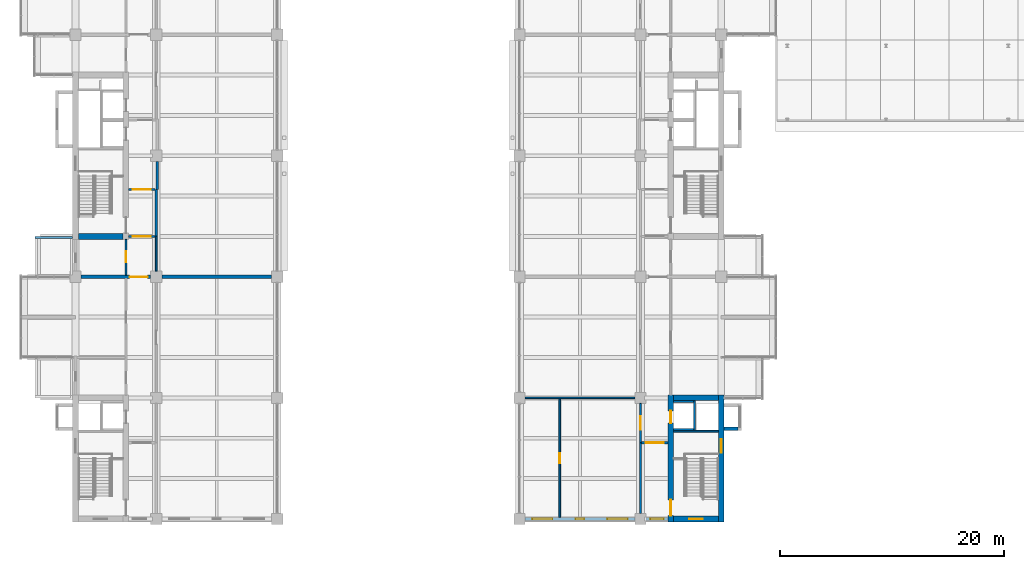
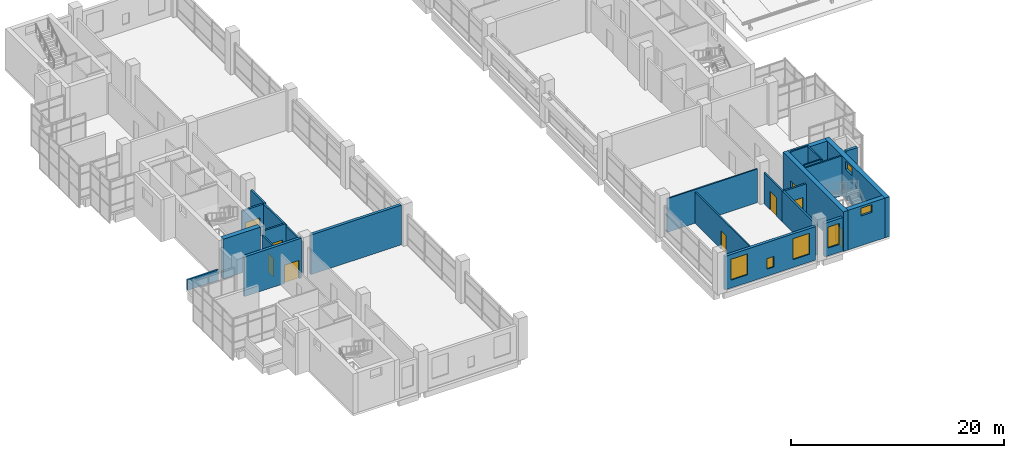
# One storey, part 36 of 44: 26 walls, 9 doors, 6 windows, 15 openings.
"""IFC4 building model written with IfcOpenShell, lengths in metres."""

from ifc_helpers import new_model, si_unit, direction, frame, frame_2d, origin, place, context, subcontext, project, spatial, rectangle, extrude, material, layer, layer_set, type_object, element, fill, save


model = new_model("IFC4")

# Units and contexts
model_context = context("Model", 3, precision=1e-05, world=origin(), true_north=direction((0.0, 1.0)))
body_context = subcontext(model_context, "Body", "Model", "MODEL_VIEW")
ifc_project = project(units=[si_unit("LENGTHUNIT", "METRE"), si_unit("AREAUNIT", "SQUARE_METRE"), si_unit("VOLUMEUNIT", "CUBIC_METRE"), si_unit("PLANEANGLEUNIT", "RADIAN"), si_unit("MASSUNIT", "GRAM", prefix="KILO")], contexts=[model_context])

# Site, building, storey
site_placement = place(None, origin())
site = spatial("IfcSite", under=ifc_project, at=site_placement, CompositionType="ELEMENT")
building_placement = place(site_placement, origin())
building = spatial("IfcBuilding", under=site, at=building_placement, Name="Basin Gate Institute", CompositionType="ELEMENT")
storey_placement = place(building_placement, frame((0.0, 0.0, 27.0)))
storey = spatial("IfcBuildingStorey", under=building, at=storey_placement, Name="L05", CompositionType="ELEMENT", Elevation=27.0)

# Wall, opening, door
ifc_material_1 = material(Name="Fire-rated masonry", Category="masonry")
ifc_layer_1 = layer(ifc_material_1, 0.199951171875)
ifc_layer_set_1 = layer_set([ifc_layer_1], Name="Enclosure wall PW2 200 EI 60")
wall_type_1 = type_object("IfcWallType", Name="Enclosure wall PW2 200 EI 60", PredefinedType="PARTITIONING", material=ifc_layer_set_1)
wall_1_placement = place(storey_placement, frame((65.949951171875, 60.300048828125, 0.0), z_axis=(0.0, 0.0, 1.0), x_axis=(1.0, 0.0, 0.0)))
wall_1 = element("IfcWall", 1, at=wall_1_placement, inside=storey, type_object=wall_type_1, material=ifc_layer_set_1, Name="Smoke lobby enclosure wall PW2 L05", PredefinedType="PARTITIONING", context=body_context, shape_type="SweptSolid", body=[
    extrude(rectangle(XDim=2.35009765625, YDim=0.199951171875, at=frame_2d((1.175048828125, 0.0))), origin(), (0.0, 0.0, 1.0), 3.85009765625),
])
opening_1_placement = place(wall_1_placement, frame((0.375, 0.0, 0.0)))
opening_1 = element("IfcOpeningElement", 2, at=opening_1_placement, cuts=wall_1, Name="Opening DR277", PredefinedType="OPENING", context=body_context, shape_type="SweptSolid", body=[
    extrude(rectangle(XDim=1.60009765625, YDim=2.10009765625, at=frame_2d((0.800048828125, 1.050048828125))), frame((0.0, 0.10986328125, 0.0), z_axis=(0.0, -1.0, 0.0), x_axis=(1.0, 0.0, 0.0)), (0.0, 0.0, 1.0), 0.219970703125),
])
ifc_material_2 = material(Name="Steel fire door", Category="steel")
door_type_1 = type_object("IfcDoorType", Name="FD60 Smoke lobby door pair D8", OperationType="DOUBLE_DOOR_SINGLE_SWING", PredefinedType="DOOR", material=ifc_material_2)
door_1_placement = place(opening_1_placement, origin())
door_1 = element("IfcDoor", 3, at=door_1_placement, inside=storey, type_object=door_type_1, material=ifc_material_2, Name="Smoke lobby door SS2 L05", OperationType="DOUBLE_DOOR_SINGLE_SWING", OverallHeight=2.10009765625, OverallWidth=1.60009765625, PredefinedType="DOOR", context=body_context, shape_type="SweptSolid", body=[
    extrude(rectangle(XDim=1.60009765625, YDim=2.10009765625, at=frame_2d((0.800048828125, 1.050048828125))), frame((0.0, 0.02490234375, 0.0), z_axis=(0.0, -1.0, 0.0), x_axis=(1.0, 0.0, 0.0)), (0.0, 0.0, 1.0), 0.050048828125),
])
fill(opening_1, door_1)

wall_2_placement = place(storey_placement, frame((65.949951171875, 64.5, 0.0), z_axis=(0.0, 0.0, 1.0), x_axis=(1.0, 0.0, 0.0)))
wall_2 = element("IfcWall", 4, at=wall_2_placement, inside=storey, type_object=wall_type_1, material=ifc_layer_set_1, Name="Smoke lobby enclosure wall PW2 L05", PredefinedType="PARTITIONING", context=body_context, shape_type="SweptSolid", body=[
    extrude(rectangle(XDim=2.35009765625, YDim=0.199951171875, at=frame_2d((1.175048828125, 0.0))), origin(), (0.0, 0.0, 1.0), 3.550048828125),
])
opening_2_placement = place(wall_2_placement, frame((0.375, 0.0, 0.0)))
opening_2 = element("IfcOpeningElement", 5, at=opening_2_placement, cuts=wall_2, Name="Opening DR278", PredefinedType="OPENING", context=body_context, shape_type="SweptSolid", body=[
    extrude(rectangle(XDim=1.60009765625, YDim=2.10009765625, at=frame_2d((0.800048828125, 1.050048828125))), frame((0.0, 0.10986328125, 0.0), z_axis=(0.0, -1.0, 0.0), x_axis=(1.0, 0.0, 0.0)), (0.0, 0.0, 1.0), 0.219970703125),
])
door_2_placement = place(opening_2_placement, frame((1.60009765625, 0.0, 0.0), z_axis=(0.0, 0.0, 1.0), x_axis=(-1.0, 0.0, 0.0)))
door_2 = element("IfcDoor", 6, at=door_2_placement, inside=storey, type_object=door_type_1, material=ifc_material_2, Name="Smoke lobby door SS2 L05", OperationType="DOUBLE_DOOR_SINGLE_SWING", OverallHeight=2.10009765625, OverallWidth=1.60009765625, PredefinedType="DOOR", context=body_context, shape_type="SweptSolid", body=[
    extrude(rectangle(XDim=1.60009765625, YDim=2.10009765625, at=frame_2d((0.800048828125, 1.050048828125))), frame((0.0, 0.02490234375, 0.0), z_axis=(0.0, -1.0, 0.0), x_axis=(1.0, 0.0, 0.0)), (0.0, 0.0, 1.0), 0.050048828125),
])
fill(opening_2, door_2)

# Walls
wall_3_placement = place(storey_placement, frame((68.39990234375, 60.300048828125, 0.0), z_axis=(0.0, 0.0, 1.0), x_axis=(0.0, 1.0, 0.0)))
element("IfcWall", 7, at=wall_3_placement, inside=storey, type_object=wall_type_1, material=ifc_layer_set_1, Name="Smoke lobby enclosure wall PW2 L05", PredefinedType="PARTITIONING", context=body_context, shape_type="SweptSolid", body=[
    extrude(rectangle(XDim=4.199951171875, YDim=0.199951171875, at=frame_2d((2.10009765625, 0.0))), origin(), (0.0, 0.0, 1.0), 3.550048828125),
])
wall_4_placement = place(storey_placement, frame((68.5, 64.5, 0.0), z_axis=(0.0, 0.0, 1.0), x_axis=(0.0, 1.0, 0.0)))
element("IfcWall", 8, at=wall_4_placement, inside=storey, type_object=wall_type_1, material=ifc_layer_set_1, Name="Emergency lift lobby wall PW2 L05", PredefinedType="PARTITIONING", context=body_context, shape_type="SweptSolid", body=[
    extrude(rectangle(XDim=2.5, YDim=0.199951171875, at=frame_2d((1.25, 0.0))), origin(), (0.0, 0.0, 1.0), 3.550048828125),
])

# Wall, opening, door
wall_5_placement = place(storey_placement, frame((114.050048828125, 41.89990234375, 0.0), z_axis=(0.0, 0.0, 1.0), x_axis=(-1.0, 0.0, 0.0)))
wall_5 = element("IfcWall", 9, at=wall_5_placement, inside=storey, type_object=wall_type_1, material=ifc_layer_set_1, Name="Smoke lobby enclosure wall PW2 L05", PredefinedType="PARTITIONING", context=body_context, shape_type="SweptSolid", body=[
    extrude(rectangle(XDim=2.35009765625, YDim=0.199951171875, at=frame_2d((1.175048828125, 0.0))), origin(), (0.0, 0.0, 1.0), 3.550048828125),
])
opening_3_placement = place(wall_5_placement, frame((0.375, 0.0, 0.0)))
opening_3 = element("IfcOpeningElement", 10, at=opening_3_placement, cuts=wall_5, Name="Opening DR261", PredefinedType="OPENING", context=body_context, shape_type="SweptSolid", body=[
    extrude(rectangle(XDim=1.60009765625, YDim=2.10009765625, at=frame_2d((0.800048828125, 1.050048828125))), frame((0.0, 0.10986328125, 0.0), z_axis=(0.0, -1.0, 0.0), x_axis=(1.0, 0.0, 0.0)), (0.0, 0.0, 1.0), 0.219970703125),
])
door_3_placement = place(opening_3_placement, origin())
door_3 = element("IfcDoor", 11, at=door_3_placement, inside=storey, type_object=door_type_1, material=ifc_material_2, Name="Smoke lobby door SS4 L05", OperationType="DOUBLE_DOOR_SINGLE_SWING", OverallHeight=2.10009765625, OverallWidth=1.60009765625, PredefinedType="DOOR", context=body_context, shape_type="SweptSolid", body=[
    extrude(rectangle(XDim=1.60009765625, YDim=2.10009765625, at=frame_2d((0.800048828125, 1.050048828125))), frame((0.0, 0.02490234375, 0.0), z_axis=(0.0, -1.0, 0.0), x_axis=(1.0, 0.0, 0.0)), (0.0, 0.0, 1.0), 0.050048828125),
])
fill(opening_3, door_3)

# Wall
wall_6_placement = place(storey_placement, frame((111.60009765625, 35.60009765625, 0.0), z_axis=(0.0, 0.0, 1.0), x_axis=(0.0, 1.0, 0.0)))
element("IfcWall", 12, at=wall_6_placement, inside=storey, type_object=wall_type_1, material=ifc_layer_set_1, Name="Smoke lobby enclosure wall PW2 L05", PredefinedType="PARTITIONING", context=body_context, shape_type="SweptSolid", body=[
    extrude(rectangle(XDim=6.2998046875, YDim=0.199951171875, at=frame_2d((3.14990234375, 0.0))), origin(), (0.0, 0.0, 1.0), 3.550048828125),
])

# Wall, opening, window
ifc_material_3 = material(Name="Aluminium-faced insulated panel wall", Category="aluminium")
ifc_layer_2 = layer(ifc_material_3, 0.300048828125)
ifc_layer_set_2 = layer_set([ifc_layer_2], Name="External wall EW1 EI 120")
wall_type_2 = type_object("IfcWallType", Name="External wall EW1 EI 120", PredefinedType="STANDARD", material=ifc_layer_set_2)
wall_7_placement = place(storey_placement, frame((114.050048828125, 35.10009765625, 0.0), z_axis=(0.0, 0.0, 1.0), x_axis=(-1.0, 0.0, 0.0)))
wall_7 = element("IfcWall", 13, at=wall_7_placement, inside=storey, type_object=wall_type_2, material=ifc_layer_set_2, Name="External end wall E wing south L05 1", PredefinedType="STANDARD", context=body_context, shape_type="SweptSolid", body=[
    extrude(rectangle(XDim=1.949951171875, YDim=0.300048828125, at=frame_2d((0.97509765625, 0.0))), origin(), (0.0, 0.0, 1.0), 3.85009765625),
])
opening_4_placement = place(wall_7_placement, frame((0.375, 0.0, 0.89990234375)))
opening_4 = element("IfcOpeningElement", 14, at=opening_4_placement, cuts=wall_7, Name="Opening WN4", PredefinedType="OPENING", context=body_context, shape_type="SweptSolid", body=[
    extrude(rectangle(XDim=1.199951171875, YDim=2.39990234375, at=frame_2d((0.60009765625, 1.199951171875))), frame((0.0, 0.16015625, 0.0), z_axis=(0.0, -1.0, 0.0), x_axis=(1.0, 0.0, 0.0)), (0.0, 0.0, 1.0), 0.320068359375),
])
ifc_material_4 = material(Name="Aluminium-framed double glazing", Category="aluminium")
window_type_1 = type_object("IfcWindowType", Name="Corridor end window WN4", PartitioningType="SINGLE_PANEL", PredefinedType="WINDOW", material=ifc_material_4)
window_1_placement = place(opening_4_placement, origin())
window_1 = element("IfcWindow", 15, at=window_1_placement, inside=storey, type_object=window_type_1, material=ifc_material_4, Name="Corridor end window E wing S L05", OverallHeight=2.39990234375, OverallWidth=1.199951171875, PartitioningType="SINGLE_PANEL", PredefinedType="WINDOW", context=body_context, shape_type="SweptSolid", body=[
    extrude(rectangle(XDim=1.199951171875, YDim=2.39990234375, at=frame_2d((0.60009765625, 1.199951171875))), frame((0.0, 0.030029296875, 0.0), z_axis=(0.0, -1.0, 0.0), x_axis=(1.0, 0.0, 0.0)), (0.0, 0.0, 1.0), 0.06005859375),
])
fill(opening_4, window_1)

# Wall, openings, windows
wall_8_placement = place(storey_placement, frame((111.10009765625, 35.10009765625, 0.0), z_axis=(0.0, 0.0, 1.0), x_axis=(-1.0, 0.0, 0.0)))
wall_8 = element("IfcWall", 16, at=wall_8_placement, inside=storey, type_object=wall_type_2, material=ifc_layer_set_2, Name="External end wall E wing south L05 2", PredefinedType="STANDARD", context=body_context, shape_type="SweptSolid", body=[
    extrude(rectangle(XDim=9.800048828125, YDim=0.300048828125, at=frame_2d((4.89990234375, 0.0))), origin(), (0.0, 0.0, 1.0), 3.85009765625),
])
opening_5_placement = place(wall_8_placement, frame((0.64990234375, 0.0, 0.89990234375)))
opening_5 = element("IfcOpeningElement", 17, at=opening_5_placement, cuts=wall_8, Name="Opening WN1", PredefinedType="OPENING", context=body_context, shape_type="SweptSolid", body=[
    extrude(rectangle(XDim=1.800048828125, YDim=2.39990234375, at=frame_2d((0.89990234375, 1.199951171875))), frame((0.0, 0.16015625, 0.0), z_axis=(0.0, -1.0, 0.0), x_axis=(1.0, 0.0, 0.0)), (0.0, 0.0, 1.0), 0.320068359375),
])
opening_6_placement = place(wall_8_placement, frame((4.52490234375, 0.0, 0.800048828125)))
opening_6 = element("IfcOpeningElement", 18, at=opening_6_placement, cuts=wall_8, Name="Opening WN3", PredefinedType="OPENING", context=body_context, shape_type="SweptSolid", body=[
    extrude(rectangle(XDim=0.75, YDim=1.199951171875, at=frame_2d((0.375, 0.60009765625))), frame((0.0, 0.16015625, 0.0), z_axis=(0.0, -1.0, 0.0), x_axis=(1.0, 0.0, 0.0)), (0.0, 0.0, 1.0), 0.320068359375),
])
opening_7_placement = place(wall_8_placement, frame((7.35009765625, 0.0, 0.89990234375)))
opening_7 = element("IfcOpeningElement", 19, at=opening_7_placement, cuts=wall_8, Name="Opening WN1", PredefinedType="OPENING", context=body_context, shape_type="SweptSolid", body=[
    extrude(rectangle(XDim=1.800048828125, YDim=2.39990234375, at=frame_2d((0.89990234375, 1.199951171875))), frame((0.0, 0.16015625, 0.0), z_axis=(0.0, -1.0, 0.0), x_axis=(1.0, 0.0, 0.0)), (0.0, 0.0, 1.0), 0.320068359375),
])
ifc_material_5 = material(Name="Aluminium-framed double glazing", Category="aluminium")
window_type_2 = type_object("IfcWindowType", Name="Emergency entry panel WN3", PartitioningType="SINGLE_PANEL", PredefinedType="WINDOW", material=ifc_material_5)
window_2_placement = place(opening_6_placement, origin())
window_2 = element("IfcWindow", 20, at=window_2_placement, inside=storey, type_object=window_type_2, material=ifc_material_5, Name="Emergency entry panel E wing end S L05 bay 2", OverallHeight=1.199951171875, OverallWidth=0.75, PartitioningType="SINGLE_PANEL", PredefinedType="WINDOW", context=body_context, shape_type="SweptSolid", body=[
    extrude(rectangle(XDim=0.75, YDim=1.199951171875, at=frame_2d((0.375, 0.60009765625))), frame((0.0, 0.030029296875, 0.0), z_axis=(0.0, -1.0, 0.0), x_axis=(1.0, 0.0, 0.0)), (0.0, 0.0, 1.0), 0.06005859375),
])
fill(opening_6, window_2)
ifc_material_6 = material(Name="Aluminium-framed double glazing", Category="aluminium")
window_type_3 = type_object("IfcWindowType", Name="Facade window WN1", PartitioningType="SINGLE_PANEL", PredefinedType="WINDOW", material=ifc_material_6)
window_3_placement = place(opening_5_placement, origin())
window_3 = element("IfcWindow", 21, at=window_3_placement, inside=storey, type_object=window_type_3, material=ifc_material_6, Name="Facade window E wing end S L05 bay 1", OverallHeight=2.39990234375, OverallWidth=1.800048828125, PartitioningType="SINGLE_PANEL", PredefinedType="WINDOW", context=body_context, shape_type="SweptSolid", body=[
    extrude(rectangle(XDim=1.800048828125, YDim=2.39990234375, at=frame_2d((0.89990234375, 1.199951171875))), frame((0.0, 0.030029296875, 0.0), z_axis=(0.0, -1.0, 0.0), x_axis=(1.0, 0.0, 0.0)), (0.0, 0.0, 1.0), 0.06005859375),
])
fill(opening_5, window_3)
window_4_placement = place(opening_7_placement, origin())
window_4 = element("IfcWindow", 22, at=window_4_placement, inside=storey, type_object=window_type_3, material=ifc_material_6, Name="Facade window E wing end S L05 bay 3", OverallHeight=2.39990234375, OverallWidth=1.800048828125, PartitioningType="SINGLE_PANEL", PredefinedType="WINDOW", context=body_context, shape_type="SweptSolid", body=[
    extrude(rectangle(XDim=1.800048828125, YDim=2.39990234375, at=frame_2d((0.89990234375, 1.199951171875))), frame((0.0, 0.030029296875, 0.0), z_axis=(0.0, -1.0, 0.0), x_axis=(1.0, 0.0, 0.0)), (0.0, 0.0, 1.0), 0.06005859375),
])
fill(opening_7, window_4)

# Wall
ifc_material_7 = material(Name="Concrete 40 MPa", Category="concrete")
ifc_layer_3 = layer(ifc_material_7, 0.199951171875)
ifc_layer_set_3 = layer_set([ifc_layer_3], Name="Concrete 40 MPa")
wall_type_3 = type_object("IfcWallType", Name="Parapet wall PA1", PredefinedType="PARAPET", material=ifc_layer_set_3)
wall_9_placement = place(storey_placement, frame((57.60009765625, 60.199951171875, 0.0), z_axis=(0.0, 0.0, 1.0), x_axis=(1.0, 0.0, 0.0)))
element("IfcWall", 23, at=wall_9_placement, inside=storey, type_object=wall_type_3, material=ifc_layer_set_3, Name="Parapet wall PA1 L05 W4", PredefinedType="PARAPET", context=body_context, shape_type="SweptSolid", body=[
    extrude(rectangle(XDim=3.349853515625, YDim=0.199951171875, at=frame_2d((1.6748046875, 0.0))), origin(), (0.0, 0.0, 1.0), 1.199951171875),
])

# Wall, opening, door
ifc_material_8 = material(Name="Gypsum board on steel stud", Category="steel")
ifc_layer_4 = layer(ifc_material_8, 0.14990234375)
ifc_layer_set_4 = layer_set([ifc_layer_4], Name="Gypsum board on steel stud")
wall_type_4 = type_object("IfcWallType", Name="Partition PW1 150 EI 60", PredefinedType="PARTITIONING", material=ifc_layer_set_4)
wall_10_placement = place(storey_placement, frame((65.699951171875, 56.85009765625, 0.0), z_axis=(0.0, 0.0, 1.0), x_axis=(0.0, 1.0, 0.0)))
wall_10 = element("IfcWall", 24, at=wall_10_placement, inside=storey, type_object=wall_type_4, material=ifc_layer_set_4, Name="Corridor wall PW1 L05", PredefinedType="PARTITIONING", context=body_context, shape_type="SweptSolid", body=[
    extrude(rectangle(XDim=3.199951171875, YDim=0.14990234375, at=frame_2d((1.60009765625, 0.0))), origin(), (0.0, 0.0, 1.0), 3.550048828125),
])
opening_8_placement = place(wall_10_placement, frame((1.14990234375, 0.0, 0.0)))
opening_8 = element("IfcOpeningElement", 25, at=opening_8_placement, cuts=wall_10, Name="Opening DR268", PredefinedType="OPENING", context=body_context, shape_type="SweptSolid", body=[
    extrude(rectangle(XDim=1.0, YDim=2.10009765625, at=frame_2d((0.5, 1.050048828125))), frame((0.0, 0.0849609375, 0.0), z_axis=(0.0, -1.0, 0.0), x_axis=(1.0, 0.0, 0.0)), (0.0, 0.0, 1.0), 0.169921875),
])
ifc_material_9 = material(Name="Timber fire door", Category="wood")
door_type_2 = type_object("IfcDoorType", Name="FD30 Toilet door D3", OperationType="NOTDEFINED", PredefinedType="DOOR", material=ifc_material_9)
door_4_placement = place(opening_8_placement, origin())
door_4 = element("IfcDoor", 26, at=door_4_placement, inside=storey, type_object=door_type_2, material=ifc_material_9, Name="Door to Female WC L05", OperationType="SINGLE_SWING_RIGHT", OverallHeight=2.10009765625, OverallWidth=1.0, PredefinedType="DOOR", context=body_context, shape_type="SweptSolid", body=[
    extrude(rectangle(XDim=1.0, YDim=2.10009765625, at=frame_2d((0.5, 1.050048828125))), frame((0.0, 0.02490234375, 0.0), z_axis=(0.0, -1.0, 0.0), x_axis=(1.0, 0.0, 0.0)), (0.0, 0.0, 1.0), 0.050048828125),
])
fill(opening_8, door_4)

# Wall
wall_11_placement = place(storey_placement, frame((68.39990234375, 57.199951171875, 0.0), z_axis=(0.0, 0.0, 1.0), x_axis=(0.0, 1.0, 0.0)))
element("IfcWall", 27, at=wall_11_placement, inside=storey, type_object=wall_type_4, material=ifc_layer_set_4, Name="Laboratory corridor wall PW1 L05", PredefinedType="PARTITIONING", context=body_context, shape_type="SweptSolid", body=[
    extrude(rectangle(XDim=3.10009765625, YDim=0.14990234375, at=frame_2d((1.550048828125, 0.0))), origin(), (0.0, 0.0, 1.0), 3.550048828125),
])

# Wall, opening, door
wall_12_placement = place(storey_placement, frame((111.60009765625, 41.89990234375, 0.0), z_axis=(0.0, 0.0, 1.0), x_axis=(0.0, 1.0, 0.0)))
wall_12 = element("IfcWall", 28, at=wall_12_placement, inside=storey, type_object=wall_type_4, material=ifc_layer_set_4, Name="Laboratory corridor wall PW1 L05", PredefinedType="PARTITIONING", context=body_context, shape_type="SweptSolid", body=[
    extrude(rectangle(XDim=3.5, YDim=0.14990234375, at=frame_2d((1.75, 0.0))), origin(), (0.0, 0.0, 1.0), 3.550048828125),
])
opening_9_placement = place(wall_12_placement, frame((1.14990234375, 0.0, 0.0)))
opening_9 = element("IfcOpeningElement", 29, at=opening_9_placement, cuts=wall_12, Name="Opening DR246", PredefinedType="OPENING", context=body_context, shape_type="SweptSolid", body=[
    extrude(rectangle(XDim=1.199951171875, YDim=2.10009765625, at=frame_2d((0.60009765625, 1.050048828125))), frame((0.0, 0.0849609375, 0.0), z_axis=(0.0, -1.0, 0.0), x_axis=(1.0, 0.0, 0.0)), (0.0, 0.0, 1.0), 0.169921875),
])
ifc_material_10 = material(Name="Timber fire door", Category="wood")
door_type_3 = type_object("IfcDoorType", Name="FD30 Laboratory door D2", OperationType="DOUBLE_DOOR_SINGLE_SWING", PredefinedType="DOOR", material=ifc_material_10)
door_5_placement = place(opening_9_placement, origin())
door_5 = element("IfcDoor", 30, at=door_5_placement, inside=storey, type_object=door_type_3, material=ifc_material_10, Name="Door to Dry Laboratory 0564 L05", OperationType="DOUBLE_DOOR_SINGLE_SWING", OverallHeight=2.10009765625, OverallWidth=1.199951171875, PredefinedType="DOOR", context=body_context, shape_type="SweptSolid", body=[
    extrude(rectangle(XDim=1.199951171875, YDim=2.10009765625, at=frame_2d((0.60009765625, 1.050048828125))), frame((0.0, 0.02490234375, 0.0), z_axis=(0.0, -1.0, 0.0), x_axis=(1.0, 0.0, 0.0)), (0.0, 0.0, 1.0), 0.050048828125),
])
fill(opening_9, door_5)

wall_13_placement = place(storey_placement, frame((104.39990234375, 35.25, 0.0), z_axis=(0.0, 0.0, 1.0), x_axis=(0.0, 1.0, 0.0)))
wall_13 = element("IfcWall", 31, at=wall_13_placement, inside=storey, type_object=wall_type_4, material=ifc_layer_set_4, Name="Laboratory partition PW1 L05", PredefinedType="PARTITIONING", context=body_context, shape_type="SweptSolid", body=[
    extrude(rectangle(XDim=10.574951171875, YDim=0.14990234375, at=frame_2d((5.28759765625, 0.0))), origin(), (0.0, 0.0, 1.0), 3.550048828125),
])
opening_10_placement = place(wall_13_placement, frame((4.800048828125, 0.0, 0.0)))
opening_10 = element("IfcOpeningElement", 32, at=opening_10_placement, cuts=wall_13, Name="Opening DR248", PredefinedType="OPENING", context=body_context, shape_type="SweptSolid", body=[
    extrude(rectangle(XDim=0.89990234375, YDim=2.10009765625, at=frame_2d((0.449951171875, 1.050048828125))), frame((0.0, 0.0849609375, 0.0), z_axis=(0.0, -1.0, 0.0), x_axis=(1.0, 0.0, 0.0)), (0.0, 0.0, 1.0), 0.169921875),
])
ifc_material_11 = material(Name="Steel fire door", Category="steel")
door_type_4 = type_object("IfcDoorType", Name="FD60 Riser door D10", OperationType="NOTDEFINED", PredefinedType="DOOR", material=ifc_material_11)
door_6_placement = place(opening_10_placement, origin())
door_6 = element("IfcDoor", 33, at=door_6_placement, inside=storey, type_object=door_type_4, material=ifc_material_11, Name="Door to Exhaust Riser Room 0565 L05", OperationType="SINGLE_SWING_LEFT", OverallHeight=2.10009765625, OverallWidth=0.89990234375, PredefinedType="DOOR", context=body_context, shape_type="SweptSolid", body=[
    extrude(rectangle(XDim=0.89990234375, YDim=2.10009765625, at=frame_2d((0.449951171875, 1.050048828125))), frame((0.0, 0.02490234375, 0.0), z_axis=(0.0, -1.0, 0.0), x_axis=(1.0, 0.0, 0.0)), (0.0, 0.0, 1.0), 0.050048828125),
])
fill(opening_10, door_6)

# Walls
wall_14_placement = place(storey_placement, frame((111.10009765625, 45.89990234375, 0.0), z_axis=(0.0, 0.0, 1.0), x_axis=(-1.0, 0.0, 0.0)))
element("IfcWall", 34, at=wall_14_placement, inside=storey, type_object=wall_type_4, material=ifc_layer_set_4, Name="Laboratory partition PW1 L05", PredefinedType="PARTITIONING", context=body_context, shape_type="SweptSolid", body=[
    extrude(rectangle(XDim=9.800048828125, YDim=0.14990234375, at=frame_2d((4.89990234375, 0.0))), origin(), (0.0, 0.0, 1.0), 3.85009765625),
])
ifc_material_12 = material(Name="Concrete 40 MPa", Category="concrete")
ifc_layer_5 = layer(ifc_material_12, 0.14990234375)
ifc_layer_set_5 = layer_set([ifc_layer_5], Name="Concrete 40 MPa")
wall_type_5 = type_object("IfcWallType", Name="Wall LS1 lift shaft enclosure R120", PredefinedType="SOLIDWALL", material=ifc_layer_set_5)
wall_15_placement = place(storey_placement, frame((116.425048828125, 43.0, 0.0), z_axis=(0.0, 0.0, 1.0), x_axis=(0.0, 1.0, 0.0)))
element("IfcWall", 35, at=wall_15_placement, inside=storey, type_object=wall_type_5, material=ifc_layer_set_5, Name="Lift shaft enclosure LP4 L05 UL", PredefinedType="SOLIDWALL", context=body_context, shape_type="SweptSolid", body=[
    extrude(rectangle(XDim=2.64990234375, YDim=0.14990234375, at=frame_2d((1.324951171875, 0.0))), origin(), (0.0, 0.0, 1.0), 4.800048828125),
])
for number, where, z_axis, x_axis, name in (
    (36, (116.35009765625, 43.074951171875, 0.0), (0.0, 0.0, 1.0), (-1.0, 0.0, 0.0), "Lift shaft enclosure LP4 L05 RL"),
    (37, (116.35009765625, 45.574951171875, 0.0), (0.0, 0.0, 1.0), (-1.0, 0.0, 0.0), "Lift shaft enclosure LP4 L05 RH"),
):
    element("IfcWall", number, at=place(storey_placement, frame(where, z_axis=z_axis, x_axis=x_axis)), inside=storey, type_object=wall_type_5, material=ifc_layer_set_5, Name=name, PredefinedType="SOLIDWALL", context=body_context, shape_type="SweptSolid", body=[
        extrude(rectangle(XDim=1.800048828125, YDim=0.14990234375, at=frame_2d((0.89990234375, 0.0))), origin(), (0.0, 0.0, 1.0), 4.800048828125),
    ])
ifc_material_13 = material(Name="Concrete 40 MPa", Category="concrete")
ifc_layer_6 = layer(ifc_material_13, 0.14990234375)
ifc_layer_set_6 = layer_set([ifc_layer_6], Name="Concrete 40 MPa")
wall_type_6 = type_object("IfcWallType", Name="Wall SE1 stair enclosure R120", PredefinedType="SOLIDWALL", material=ifc_layer_set_6)
wall_16_placement = place(storey_placement, frame((118.550048828125, 42.925048828125, 0.0), z_axis=(0.0, 0.0, 1.0), x_axis=(-1.0, 0.0, 0.0)))
element("IfcWall", 38, at=wall_16_placement, inside=storey, type_object=wall_type_6, material=ifc_layer_set_6, Name="Stair enclosure wall ST-ES L05", PredefinedType="SOLIDWALL", context=body_context, shape_type="SweptSolid", body=[
    extrude(rectangle(XDim=4.0, YDim=0.14990234375, at=frame_2d((2.0, 0.0))), origin(), (0.0, 0.0, 1.0), 4.550048828125),
])
ifc_material_14 = material(Name="Concrete 50 MPa", Category="concrete")
ifc_layer_7 = layer(ifc_material_14, 0.300048828125)
ifc_layer_set_7 = layer_set([ifc_layer_7], Name="Concrete 50 MPa")
wall_type_7 = type_object("IfcWallType", Name="Wall SK1 R120", PredefinedType="SHEAR", material=ifc_layer_set_7)
wall_17_placement = place(storey_placement, frame((119.050048828125, 43.14990234375, 0.0), z_axis=(0.0, 0.0, 1.0), x_axis=(1.0, 0.0, 0.0)))
element("IfcWall", 39, at=wall_17_placement, inside=storey, type_object=wall_type_7, material=ifc_layer_set_7, Name="Spine riser stack wall SK1 ES A L05", PredefinedType="SHEAR", context=body_context, shape_type="SweptSolid", body=[
    extrude(rectangle(XDim=1.25, YDim=0.300048828125, at=frame_2d((0.625, 0.0))), origin(), (0.0, 0.0, 1.0), 4.800048828125),
])
ifc_material_15 = material(Name="Concrete 60 MPa", Category="concrete")
ifc_layer_8 = layer(ifc_material_15, 0.5)
ifc_layer_set_8 = layer_set([ifc_layer_8], Name="Concrete 60 MPa")
wall_type_8 = type_object("IfcWallType", Name="Wall SW1 R120", PredefinedType="SHEAR", material=ifc_layer_set_8)
wall_18_placement = place(storey_placement, frame((61.449951171875, 60.300048828125, 0.0), z_axis=(0.0, 0.0, 1.0), x_axis=(1.0, 0.0, 0.0)))
element("IfcWall", 40, at=wall_18_placement, inside=storey, type_object=wall_type_8, material=ifc_layer_set_8, Name="WALL/L05/WM/S", PredefinedType="SHEAR", context=body_context, shape_type="SweptSolid", body=[
    extrude(rectangle(XDim=4.0, YDim=0.5, at=frame_2d((2.0, 0.0))), origin(), (0.0, 0.0, 1.0), 4.550048828125),
])

# Wall, opening, window
wall_19_placement = place(storey_placement, frame((118.800048828125, 34.85009765625, 0.0), z_axis=(0.0, 0.0, 1.0), x_axis=(0.0, 1.0, 0.0)))
wall_19 = element("IfcWall", 41, at=wall_19_placement, inside=storey, type_object=wall_type_8, material=ifc_layer_set_8, Name="WALL/L05/ES/L", PredefinedType="SHEAR", context=body_context, shape_type="SweptSolid", body=[
    extrude(rectangle(XDim=11.2998046875, YDim=0.5, at=frame_2d((5.64990234375, 0.0))), origin(), (0.0, 0.0, 1.0), 4.550048828125),
])
opening_11_placement = place(wall_19_placement, frame((6.159912109375, 0.0, 3.39990234375)))
opening_11 = element("IfcOpeningElement", 42, at=opening_11_placement, cuts=wall_19, Name="Opening WT2", PredefinedType="OPENING", context=body_context, shape_type="SweptSolid", body=[
    extrude(rectangle(XDim=1.199951171875, YDim=0.89990234375, at=frame_2d((0.60009765625, 0.449951171875))), frame((0.0, 0.260009765625, 0.0), z_axis=(0.0, -1.0, 0.0), x_axis=(1.0, 0.0, 0.0)), (0.0, 0.0, 1.0), 0.52001953125),
])
ifc_material_16 = material(Name="Fire-resistant glazing in steel-free frame", Category="steel")
window_type_4 = type_object("IfcWindowType", Name="Rated stair window EI 120 WT2", PartitioningType="SINGLE_PANEL", PredefinedType="WINDOW", material=ifc_material_16)
window_5_placement = place(opening_11_placement, origin())
window_5 = element("IfcWindow", 43, at=window_5_placement, inside=storey, type_object=window_type_4, material=ifc_material_16, Name="Rated stair window EI 120 ES landing L05", OverallHeight=0.89990234375, OverallWidth=1.199951171875, PartitioningType="SINGLE_PANEL", PredefinedType="WINDOW", context=body_context, shape_type="SweptSolid", body=[
    extrude(rectangle(XDim=1.199951171875, YDim=0.89990234375, at=frame_2d((0.60009765625, 0.449951171875))), frame((0.0, 0.030029296875, 0.0), z_axis=(0.0, -1.0, 0.0), x_axis=(1.0, 0.0, 0.0)), (0.0, 0.0, 1.0), 0.06005859375),
])
fill(opening_11, window_5)

# Wall, openings, doors
wall_20_placement = place(storey_placement, frame((114.300048828125, 34.85009765625, 0.0), z_axis=(0.0, 0.0, 1.0), x_axis=(0.0, 1.0, 0.0)))
wall_20 = element("IfcWall", 44, at=wall_20_placement, inside=storey, type_object=wall_type_8, material=ifc_layer_set_8, Name="WALL/L05/ES/C", PredefinedType="SHEAR", context=body_context, shape_type="SweptSolid", body=[
    extrude(rectangle(XDim=11.2998046875, YDim=0.5, at=frame_2d((5.64990234375, 0.0))), origin(), (0.0, 0.0, 1.0), 4.550048828125),
])
opening_12_placement = place(wall_20_placement, frame((0.550048828125, 0.0, 0.0)))
opening_12 = element("IfcOpeningElement", 45, at=opening_12_placement, cuts=wall_20, Name="Opening DS034", PredefinedType="OPENING", context=body_context, shape_type="SweptSolid", body=[
    extrude(rectangle(XDim=1.39990234375, YDim=2.10009765625, at=frame_2d((0.699951171875, 1.050048828125))), frame((0.0, 0.260009765625, 0.0), z_axis=(0.0, -1.0, 0.0), x_axis=(1.0, 0.0, 0.0)), (0.0, 0.0, 1.0), 0.52001953125),
])
opening_13_placement = place(wall_20_placement, frame((8.800048828125, 0.0, 0.0)))
opening_13 = element("IfcOpeningElement", 46, at=opening_13_placement, cuts=wall_20, Name="Opening LD077", PredefinedType="OPENING", context=body_context, shape_type="SweptSolid", body=[
    extrude(rectangle(XDim=1.10009765625, YDim=2.10009765625, at=frame_2d((0.550048828125, 1.050048828125))), frame((0.0, 0.260009765625, 0.0), z_axis=(0.0, -1.0, 0.0), x_axis=(1.0, 0.0, 0.0)), (0.0, 0.0, 1.0), 0.52001953125),
])
ifc_material_17 = material(Name="Steel fire door", Category="steel")
door_type_5 = type_object("IfcDoorType", Name="FD30 Stair enclosure door DS", OperationType="DOUBLE_DOOR_SINGLE_SWING", PredefinedType="DOOR", material=ifc_material_17)
door_7_placement = place(opening_12_placement, frame((1.39990234375, 0.0, 0.0), z_axis=(0.0, 0.0, 1.0), x_axis=(-1.0, 0.0, 0.0)))
door_7 = element("IfcDoor", 47, at=door_7_placement, inside=storey, type_object=door_type_5, material=ifc_material_17, Name="Stair enclosure door ST-ES L05", OperationType="DOUBLE_DOOR_SINGLE_SWING", OverallHeight=2.10009765625, OverallWidth=1.39990234375, PredefinedType="DOOR", context=body_context, shape_type="SweptSolid", body=[
    extrude(rectangle(XDim=1.39990234375, YDim=2.10009765625, at=frame_2d((0.699951171875, 1.050048828125))), frame((0.0, 0.02490234375, 0.0), z_axis=(0.0, -1.0, 0.0), x_axis=(1.0, 0.0, 0.0)), (0.0, 0.0, 1.0), 0.050048828125),
])
fill(opening_12, door_7)
ifc_material_18 = material(Name="Stainless steel", Category="steel")
door_type_6 = type_object("IfcDoorType", Name="FD60 Lift landing door LD", OperationType="SLIDING_TO_LEFT", PredefinedType="DOOR", material=ifc_material_18)
door_8_placement = place(opening_13_placement, origin())
door_8 = element("IfcDoor", 48, at=door_8_placement, inside=storey, type_object=door_type_6, material=ifc_material_18, Name="Lift landing door LP4 L05", OperationType="SLIDING_TO_LEFT", OverallHeight=2.10009765625, OverallWidth=1.10009765625, PredefinedType="DOOR", context=body_context, shape_type="SweptSolid", body=[
    extrude(rectangle(XDim=1.10009765625, YDim=2.10009765625, at=frame_2d((0.550048828125, 1.050048828125))), frame((0.0, 0.02490234375, 0.0), z_axis=(0.0, -1.0, 0.0), x_axis=(1.0, 0.0, 0.0)), (0.0, 0.0, 1.0), 0.050048828125),
])
fill(opening_13, door_8)

# Wall, opening, window
wall_21_placement = place(storey_placement, frame((118.550048828125, 35.10009765625, 0.0), z_axis=(0.0, 0.0, 1.0), x_axis=(-1.0, 0.0, 0.0)))
wall_21 = element("IfcWall", 49, at=wall_21_placement, inside=storey, type_object=wall_type_8, material=ifc_layer_set_8, Name="WALL/L05/ES/S", PredefinedType="SHEAR", context=body_context, shape_type="SweptSolid", body=[
    extrude(rectangle(XDim=4.0, YDim=0.5, at=frame_2d((2.0, 0.0))), origin(), (0.0, 0.0, 1.0), 4.550048828125),
])
opening_14_placement = place(wall_21_placement, frame((1.39990234375, 0.0, 3.39990234375)))
opening_14 = element("IfcOpeningElement", 50, at=opening_14_placement, cuts=wall_21, Name="Opening WT2", PredefinedType="OPENING", context=body_context, shape_type="SweptSolid", body=[
    extrude(rectangle(XDim=1.199951171875, YDim=0.89990234375, at=frame_2d((0.60009765625, 0.449951171875))), frame((0.0, 0.260009765625, 0.0), z_axis=(0.0, -1.0, 0.0), x_axis=(1.0, 0.0, 0.0)), (0.0, 0.0, 1.0), 0.52001953125),
])
window_6_placement = place(opening_14_placement, origin())
window_6 = element("IfcWindow", 51, at=window_6_placement, inside=storey, type_object=window_type_4, material=ifc_material_16, Name="Rated stair window EI 120 ES end L05", OverallHeight=0.89990234375, OverallWidth=1.199951171875, PartitioningType="SINGLE_PANEL", PredefinedType="WINDOW", context=body_context, shape_type="SweptSolid", body=[
    extrude(rectangle(XDim=1.199951171875, YDim=0.89990234375, at=frame_2d((0.60009765625, 0.449951171875))), frame((0.0, 0.030029296875, 0.0), z_axis=(0.0, -1.0, 0.0), x_axis=(1.0, 0.0, 0.0)), (0.0, 0.0, 1.0), 0.06005859375),
])
fill(opening_14, window_6)

# Wall
wall_22_placement = place(storey_placement, frame((118.550048828125, 45.89990234375, 0.0), z_axis=(0.0, 0.0, 1.0), x_axis=(-1.0, 0.0, 0.0)))
element("IfcWall", 52, at=wall_22_placement, inside=storey, type_object=wall_type_8, material=ifc_layer_set_8, Name="WALL/L05/ES/N", PredefinedType="SHEAR", context=body_context, shape_type="SweptSolid", body=[
    extrude(rectangle(XDim=4.0, YDim=0.5, at=frame_2d((2.0, 0.0))), origin(), (0.0, 0.0, 1.0), 4.550048828125),
])

# Wall, opening, door
ifc_material_19 = material(Name="Concrete 50 MPa", Category="concrete")
ifc_layer_9 = layer(ifc_material_19, 0.300048828125)
ifc_layer_set_9 = layer_set([ifc_layer_9], Name="Concrete 50 MPa")
wall_type_9 = type_object("IfcWallType", Name="Wall XW1 R120", PredefinedType="SHEAR", material=ifc_layer_set_9)
wall_23_placement = place(storey_placement, frame((61.699951171875, 56.699951171875, 0.0), z_axis=(0.0, 0.0, 1.0), x_axis=(1.0, 0.0, 0.0)))
wall_23 = element("IfcWall", 53, at=wall_23_placement, inside=storey, type_object=wall_type_9, material=ifc_layer_set_9, Name="WALL/L05/WXC/1", PredefinedType="SHEAR", context=body_context, shape_type="SweptSolid", body=[
    extrude(rectangle(XDim=6.199951171875, YDim=0.300048828125, at=frame_2d((3.10009765625, 0.0))), origin(), (0.0, 0.0, 1.0), 4.550048828125),
])
opening_15_placement = place(wall_23_placement, frame((4.33740234375, 0.0, 0.0)))
opening_15 = element("IfcOpeningElement", 54, at=opening_15_placement, cuts=wall_23, Name="Opening DR280", PredefinedType="OPENING", context=body_context, shape_type="SweptSolid", body=[
    extrude(rectangle(XDim=1.60009765625, YDim=2.10009765625, at=frame_2d((0.800048828125, 1.050048828125))), frame((0.0, 0.16015625, 0.0), z_axis=(0.0, -1.0, 0.0), x_axis=(1.0, 0.0, 0.0)), (0.0, 0.0, 1.0), 0.320068359375),
])
ifc_material_20 = material(Name="Steel fire door", Category="steel")
door_type_7 = type_object("IfcDoorType", Name="FD60 Compartment door pair D7", OperationType="DOUBLE_DOOR_SINGLE_SWING", PredefinedType="DOOR", material=ifc_material_20)
door_9_placement = place(opening_15_placement, origin())
door_9 = element("IfcDoor", 55, at=door_9_placement, inside=storey, type_object=door_type_7, material=ifc_material_20, Name="Compartment door pair L05 W1 L05", OperationType="DOUBLE_DOOR_SINGLE_SWING", OverallHeight=2.10009765625, OverallWidth=1.60009765625, PredefinedType="DOOR", context=body_context, shape_type="SweptSolid", body=[
    extrude(rectangle(XDim=1.60009765625, YDim=2.10009765625, at=frame_2d((0.800048828125, 1.050048828125))), frame((0.0, 0.02490234375, 0.0), z_axis=(0.0, -1.0, 0.0), x_axis=(1.0, 0.0, 0.0)), (0.0, 0.0, 1.0), 0.050048828125),
])
fill(opening_15, door_9)

# Wall
wall_24_placement = place(storey_placement, frame((68.89990234375, 56.699951171875, 0.0), z_axis=(0.0, 0.0, 1.0), x_axis=(1.0, 0.0, 0.0)))
element("IfcWall", 56, at=wall_24_placement, inside=storey, type_object=wall_type_9, material=ifc_layer_set_9, Name="WALL/L05/WXC/2", PredefinedType="SHEAR", context=body_context, shape_type="SweptSolid", body=[
    extrude(rectangle(XDim=9.800048828125, YDim=0.300048828125, at=frame_2d((4.89990234375, 0.0))), origin(), (0.0, 0.0, 1.0), 4.550048828125),
])

save(model, "model.ifc")
